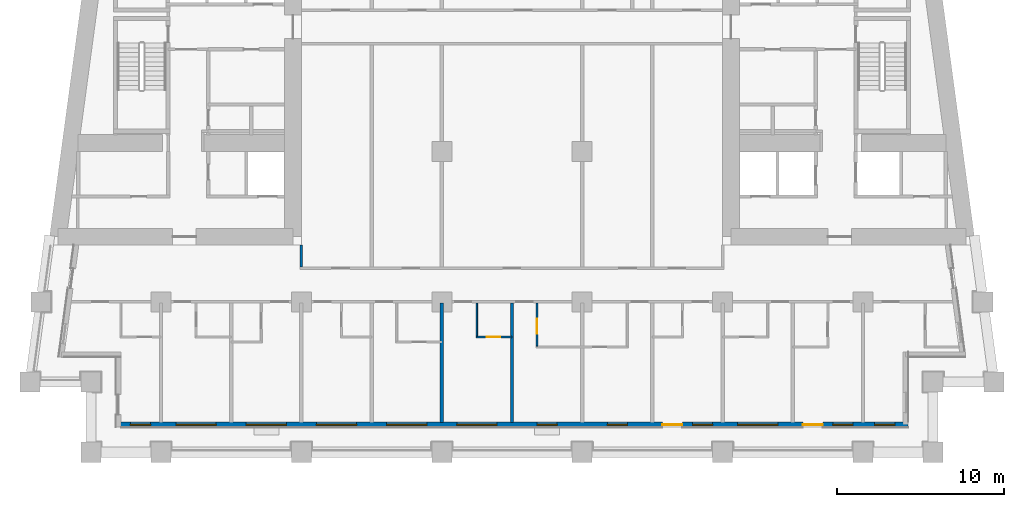
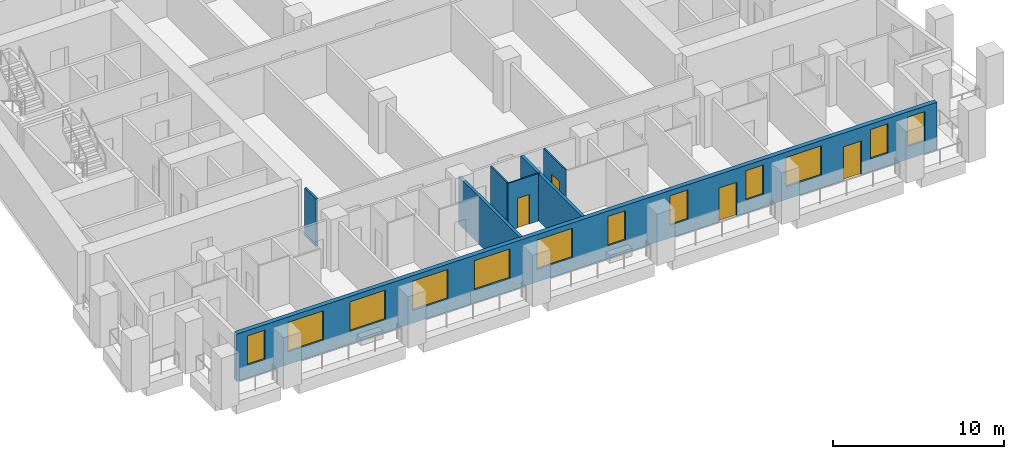
# One storey, part 3 of 14: 12 windows, 7 walls, 4 doors, 16 openings.
"""IFC4 building model written with IfcOpenShell, lengths in metres."""

from ifc_helpers import new_model, si_unit, direction, frame, frame_2d, origin, place, context, subcontext, project, spatial, rectangle, extrude, material, layer, layer_set, type_object, element, fill, save


model = new_model("IFC4")

# Units and contexts
model_context = context("Model", 3, precision=1e-05, world=origin(), true_north=direction((0.0, 1.0)))
body_context = subcontext(model_context, "Body", "Model", "MODEL_VIEW")
ifc_project = project(units=[si_unit("LENGTHUNIT", "METRE"), si_unit("AREAUNIT", "SQUARE_METRE"), si_unit("VOLUMEUNIT", "CUBIC_METRE"), si_unit("PLANEANGLEUNIT", "RADIAN"), si_unit("MASSUNIT", "GRAM", prefix="KILO")], contexts=[model_context])

# Site, building, storey
site_placement = place(None, origin())
site = spatial("IfcSite", under=ifc_project, at=site_placement, CompositionType="ELEMENT")
building_placement = place(site_placement, origin())
building = spatial("IfcBuilding", under=site, at=building_placement, Name="Candeia Pilgrim Tower and Theatre", CompositionType="ELEMENT")
storey_placement = place(building_placement, frame((0.0, 0.0, 124.300048828125)))
storey = spatial("IfcBuildingStorey", under=building, at=storey_placement, Name="L29", CompositionType="ELEMENT", Elevation=124.300048828125)

# Wall, openings, doors, windows
ifc_material_1 = material(Name="Ceramic block masonry", Category="masonry")
ifc_layer_1 = layer(ifc_material_1, 0.300048828125)
ifc_layer_set_1 = layer_set([ifc_layer_1], Name="EW1 glazing-line wall 300")
wall_type_1 = type_object("IfcWallType", Name="EW1 glazing-line wall 300", PredefinedType="SOLIDWALL", material=ifc_layer_set_1)
wall_1_placement = place(storey_placement, frame((89.85009765625, 99.64990234375, 0.0), z_axis=(0.0, 0.0, 1.0), x_axis=(1.0, 0.0, 0.0)))
wall_1 = element("IfcWall", 1, at=wall_1_placement, inside=storey, type_object=wall_type_1, Name="External wall L29-0.0", PredefinedType="SOLIDWALL", context=body_context, shape_type="SweptSolid", body=[
    extrude(rectangle(XDim=47.25, YDim=0.300048828125, at=frame_2d((23.625, 0.0))), origin(), (0.0, 0.0, 1.0), 3.3798828125),
])
opening_1_placement = place(wall_1_placement, frame((0.72509765625, 0.0, 0.89990234375)))
opening_1 = element("IfcOpeningElement", 2, at=opening_1_placement, cuts=wall_1, Name="Opening W-B", PredefinedType="OPENING", context=body_context, shape_type="SweptSolid", body=[
    extrude(rectangle(XDim=1.199951171875, YDim=2.10009765625, at=frame_2d((0.60009765625, 1.050048828125))), frame((0.0, 0.16015625, 0.0), z_axis=(0.0, -1.0, 0.0), x_axis=(1.0, 0.0, 0.0)), (0.0, 0.0, 1.0), 0.320068359375),
])
opening_2_placement = place(wall_1_placement, frame((3.449951171875, 0.0, 0.89990234375)))
opening_2 = element("IfcOpeningElement", 3, at=opening_2_placement, cuts=wall_1, Name="Opening W-A", PredefinedType="OPENING", context=body_context, shape_type="SweptSolid", body=[
    extrude(rectangle(XDim=2.39990234375, YDim=2.10009765625, at=frame_2d((1.199951171875, 1.050048828125))), frame((0.0, 0.16015625, 0.0), z_axis=(0.0, -1.0, 0.0), x_axis=(1.0, 0.0, 0.0)), (0.0, 0.0, 1.0), 0.320068359375),
])
opening_3_placement = place(wall_1_placement, frame((7.64990234375, 0.0, 0.89990234375)))
opening_3 = element("IfcOpeningElement", 4, at=opening_3_placement, cuts=wall_1, Name="Opening W-A", PredefinedType="OPENING", context=body_context, shape_type="SweptSolid", body=[
    extrude(rectangle(XDim=2.39990234375, YDim=2.10009765625, at=frame_2d((1.199951171875, 1.050048828125))), frame((0.0, 0.16015625, 0.0), z_axis=(0.0, -1.0, 0.0), x_axis=(1.0, 0.0, 0.0)), (0.0, 0.0, 1.0), 0.320068359375),
])
opening_4_placement = place(wall_1_placement, frame((11.85009765625, 0.0, 0.89990234375)))
opening_4 = element("IfcOpeningElement", 5, at=opening_4_placement, cuts=wall_1, Name="Opening W-A", PredefinedType="OPENING", context=body_context, shape_type="SweptSolid", body=[
    extrude(rectangle(XDim=2.39990234375, YDim=2.10009765625, at=frame_2d((1.199951171875, 1.050048828125))), frame((0.0, 0.16015625, 0.0), z_axis=(0.0, -1.0, 0.0), x_axis=(1.0, 0.0, 0.0)), (0.0, 0.0, 1.0), 0.320068359375),
])
opening_5_placement = place(wall_1_placement, frame((16.050048828125, 0.0, 0.89990234375)))
opening_5 = element("IfcOpeningElement", 6, at=opening_5_placement, cuts=wall_1, Name="Opening W-A", PredefinedType="OPENING", context=body_context, shape_type="SweptSolid", body=[
    extrude(rectangle(XDim=2.39990234375, YDim=2.10009765625, at=frame_2d((1.199951171875, 1.050048828125))), frame((0.0, 0.16015625, 0.0), z_axis=(0.0, -1.0, 0.0), x_axis=(1.0, 0.0, 0.0)), (0.0, 0.0, 1.0), 0.320068359375),
])
opening_6_placement = place(wall_1_placement, frame((20.25, 0.0, 0.89990234375)))
opening_6 = element("IfcOpeningElement", 7, at=opening_6_placement, cuts=wall_1, Name="Opening W-A", PredefinedType="OPENING", context=body_context, shape_type="SweptSolid", body=[
    extrude(rectangle(XDim=2.39990234375, YDim=2.10009765625, at=frame_2d((1.199951171875, 1.050048828125))), frame((0.0, 0.16015625, 0.0), z_axis=(0.0, -1.0, 0.0), x_axis=(1.0, 0.0, 0.0)), (0.0, 0.0, 1.0), 0.320068359375),
])
opening_7_placement = place(wall_1_placement, frame((25.050048828125, 0.0, 0.89990234375)))
opening_7 = element("IfcOpeningElement", 8, at=opening_7_placement, cuts=wall_1, Name="Opening W-B", PredefinedType="OPENING", context=body_context, shape_type="SweptSolid", body=[
    extrude(rectangle(XDim=1.199951171875, YDim=2.10009765625, at=frame_2d((0.60009765625, 1.050048828125))), frame((0.0, 0.16015625, 0.0), z_axis=(0.0, -1.0, 0.0), x_axis=(1.0, 0.0, 0.0)), (0.0, 0.0, 1.0), 0.320068359375),
])
opening_8_placement = place(wall_1_placement, frame((29.25, 0.0, 0.89990234375)))
opening_8 = element("IfcOpeningElement", 9, at=opening_8_placement, cuts=wall_1, Name="Opening W-B", PredefinedType="OPENING", context=body_context, shape_type="SweptSolid", body=[
    extrude(rectangle(XDim=1.199951171875, YDim=2.10009765625, at=frame_2d((0.60009765625, 1.050048828125))), frame((0.0, 0.16015625, 0.0), z_axis=(0.0, -1.0, 0.0), x_axis=(1.0, 0.0, 0.0)), (0.0, 0.0, 1.0), 0.320068359375),
])
opening_9_placement = place(wall_1_placement, frame((32.550048828125, 0.0, 0.0)))
opening_9 = element("IfcOpeningElement", 10, at=opening_9_placement, cuts=wall_1, Name="Opening L29-ED291", PredefinedType="OPENING", context=body_context, shape_type="SweptSolid", body=[
    extrude(rectangle(XDim=1.199951171875, YDim=2.39990234375, at=frame_2d((0.60009765625, 1.199951171875))), frame((0.0, 0.16015625, 0.0), z_axis=(0.0, -1.0, 0.0), x_axis=(1.0, 0.0, 0.0)), (0.0, 0.0, 1.0), 0.320068359375),
])
opening_10_placement = place(wall_1_placement, frame((34.35009765625, 0.0, 0.89990234375)))
opening_10 = element("IfcOpeningElement", 11, at=opening_10_placement, cuts=wall_1, Name="Opening W-B", PredefinedType="OPENING", context=body_context, shape_type="SweptSolid", body=[
    extrude(rectangle(XDim=1.199951171875, YDim=2.10009765625, at=frame_2d((0.60009765625, 1.050048828125))), frame((0.0, 0.16015625, 0.0), z_axis=(0.0, -1.0, 0.0), x_axis=(1.0, 0.0, 0.0)), (0.0, 0.0, 1.0), 0.320068359375),
])
opening_11_placement = place(wall_1_placement, frame((37.050048828125, 0.0, 0.89990234375)))
opening_11 = element("IfcOpeningElement", 12, at=opening_11_placement, cuts=wall_1, Name="Opening W-A", PredefinedType="OPENING", context=body_context, shape_type="SweptSolid", body=[
    extrude(rectangle(XDim=2.39990234375, YDim=2.10009765625, at=frame_2d((1.199951171875, 1.050048828125))), frame((0.0, 0.16015625, 0.0), z_axis=(0.0, -1.0, 0.0), x_axis=(1.0, 0.0, 0.0)), (0.0, 0.0, 1.0), 0.320068359375),
])
opening_12_placement = place(wall_1_placement, frame((40.949951171875, 0.0, 0.0)))
opening_12 = element("IfcOpeningElement", 13, at=opening_12_placement, cuts=wall_1, Name="Opening L29-ED292", PredefinedType="OPENING", context=body_context, shape_type="SweptSolid", body=[
    extrude(rectangle(XDim=1.199951171875, YDim=2.39990234375, at=frame_2d((0.60009765625, 1.199951171875))), frame((0.0, 0.16015625, 0.0), z_axis=(0.0, -1.0, 0.0), x_axis=(1.0, 0.0, 0.0)), (0.0, 0.0, 1.0), 0.320068359375),
])
opening_13_placement = place(wall_1_placement, frame((42.75, 0.0, 0.89990234375)))
opening_13 = element("IfcOpeningElement", 14, at=opening_13_placement, cuts=wall_1, Name="Opening W-B", PredefinedType="OPENING", context=body_context, shape_type="SweptSolid", body=[
    extrude(rectangle(XDim=1.199951171875, YDim=2.10009765625, at=frame_2d((0.60009765625, 1.050048828125))), frame((0.0, 0.16015625, 0.0), z_axis=(0.0, -1.0, 0.0), x_axis=(1.0, 0.0, 0.0)), (0.0, 0.0, 1.0), 0.320068359375),
])
opening_14_placement = place(wall_1_placement, frame((45.25, 0.0, 0.89990234375)))
opening_14 = element("IfcOpeningElement", 15, at=opening_14_placement, cuts=wall_1, Name="Opening W-B", PredefinedType="OPENING", context=body_context, shape_type="SweptSolid", body=[
    extrude(rectangle(XDim=1.199951171875, YDim=2.10009765625, at=frame_2d((0.60009765625, 1.050048828125))), frame((0.0, 0.16015625, 0.0), z_axis=(0.0, -1.0, 0.0), x_axis=(1.0, 0.0, 0.0)), (0.0, 0.0, 1.0), 0.320068359375),
])
ifc_material_2 = material(Name="Aluminium framed glazed door", Category="aluminium")
door_type_1 = type_object("IfcDoorType", Name="Loggia door 1200x2400", OperationType="DOUBLE_DOOR_SINGLE_SWING", PredefinedType="DOOR", material=ifc_material_2)
door_1_placement = place(opening_9_placement, origin())
door_1 = element("IfcDoor", 16, at=door_1_placement, inside=storey, type_object=door_type_1, Name="Loggia door L29-ED291", OperationType="DOUBLE_DOOR_SINGLE_SWING", OverallHeight=2.39990234375, OverallWidth=1.199951171875, PredefinedType="DOOR", context=body_context, shape_type="SweptSolid", body=[
    extrude(rectangle(XDim=1.199951171875, YDim=2.39990234375, at=frame_2d((0.60009765625, 1.199951171875))), frame((0.0, 0.02490234375, 0.0), z_axis=(0.0, -1.0, 0.0), x_axis=(1.0, 0.0, 0.0)), (0.0, 0.0, 1.0), 0.050048828125),
])
fill(opening_9, door_1)
door_2_placement = place(opening_12_placement, origin())
door_2 = element("IfcDoor", 17, at=door_2_placement, inside=storey, type_object=door_type_1, Name="Loggia door L29-ED292", OperationType="DOUBLE_DOOR_SINGLE_SWING", OverallHeight=2.39990234375, OverallWidth=1.199951171875, PredefinedType="DOOR", context=body_context, shape_type="SweptSolid", body=[
    extrude(rectangle(XDim=1.199951171875, YDim=2.39990234375, at=frame_2d((0.60009765625, 1.199951171875))), frame((0.0, 0.02490234375, 0.0), z_axis=(0.0, -1.0, 0.0), x_axis=(1.0, 0.0, 0.0)), (0.0, 0.0, 1.0), 0.050048828125),
])
fill(opening_12, door_2)
ifc_material_3 = material(Name="Aluminium framed double glazing", Category="aluminium")
window_type_1 = type_object("IfcWindowType", Name="W-A window 2400x2100", PartitioningType="DOUBLE_PANEL_VERTICAL", PredefinedType="WINDOW", material=ifc_material_3)
window_1_placement = place(opening_2_placement, origin())
window_1 = element("IfcWindow", 18, at=window_1_placement, inside=storey, type_object=window_type_1, Name="Window W-A L29", OverallHeight=2.10009765625, OverallWidth=2.39990234375, PartitioningType="SINGLE_PANEL", PredefinedType="WINDOW", context=body_context, shape_type="SweptSolid", body=[
    extrude(rectangle(XDim=2.39990234375, YDim=2.10009765625, at=frame_2d((1.199951171875, 1.050048828125))), frame((0.0, 0.030029296875, 0.0), z_axis=(0.0, -1.0, 0.0), x_axis=(1.0, 0.0, 0.0)), (0.0, 0.0, 1.0), 0.06005859375),
])
fill(opening_2, window_1)
window_2_placement = place(opening_3_placement, origin())
window_2 = element("IfcWindow", 19, at=window_2_placement, inside=storey, type_object=window_type_1, Name="Window W-A L29", OverallHeight=2.10009765625, OverallWidth=2.39990234375, PartitioningType="SINGLE_PANEL", PredefinedType="WINDOW", context=body_context, shape_type="SweptSolid", body=[
    extrude(rectangle(XDim=2.39990234375, YDim=2.10009765625, at=frame_2d((1.199951171875, 1.050048828125))), frame((0.0, 0.030029296875, 0.0), z_axis=(0.0, -1.0, 0.0), x_axis=(1.0, 0.0, 0.0)), (0.0, 0.0, 1.0), 0.06005859375),
])
fill(opening_3, window_2)
window_3_placement = place(opening_4_placement, origin())
window_3 = element("IfcWindow", 20, at=window_3_placement, inside=storey, type_object=window_type_1, Name="Window W-A L29", OverallHeight=2.10009765625, OverallWidth=2.39990234375, PartitioningType="SINGLE_PANEL", PredefinedType="WINDOW", context=body_context, shape_type="SweptSolid", body=[
    extrude(rectangle(XDim=2.39990234375, YDim=2.10009765625, at=frame_2d((1.199951171875, 1.050048828125))), frame((0.0, 0.030029296875, 0.0), z_axis=(0.0, -1.0, 0.0), x_axis=(1.0, 0.0, 0.0)), (0.0, 0.0, 1.0), 0.06005859375),
])
fill(opening_4, window_3)
window_4_placement = place(opening_5_placement, origin())
window_4 = element("IfcWindow", 21, at=window_4_placement, inside=storey, type_object=window_type_1, Name="Window W-A L29", OverallHeight=2.10009765625, OverallWidth=2.39990234375, PartitioningType="SINGLE_PANEL", PredefinedType="WINDOW", context=body_context, shape_type="SweptSolid", body=[
    extrude(rectangle(XDim=2.39990234375, YDim=2.10009765625, at=frame_2d((1.199951171875, 1.050048828125))), frame((0.0, 0.030029296875, 0.0), z_axis=(0.0, -1.0, 0.0), x_axis=(1.0, 0.0, 0.0)), (0.0, 0.0, 1.0), 0.06005859375),
])
fill(opening_5, window_4)
window_5_placement = place(opening_6_placement, origin())
window_5 = element("IfcWindow", 22, at=window_5_placement, inside=storey, type_object=window_type_1, Name="Window W-A L29", OverallHeight=2.10009765625, OverallWidth=2.39990234375, PartitioningType="SINGLE_PANEL", PredefinedType="WINDOW", context=body_context, shape_type="SweptSolid", body=[
    extrude(rectangle(XDim=2.39990234375, YDim=2.10009765625, at=frame_2d((1.199951171875, 1.050048828125))), frame((0.0, 0.030029296875, 0.0), z_axis=(0.0, -1.0, 0.0), x_axis=(1.0, 0.0, 0.0)), (0.0, 0.0, 1.0), 0.06005859375),
])
fill(opening_6, window_5)
window_6_placement = place(opening_11_placement, origin())
window_6 = element("IfcWindow", 23, at=window_6_placement, inside=storey, type_object=window_type_1, Name="Window W-A L29", OverallHeight=2.10009765625, OverallWidth=2.39990234375, PartitioningType="SINGLE_PANEL", PredefinedType="WINDOW", context=body_context, shape_type="SweptSolid", body=[
    extrude(rectangle(XDim=2.39990234375, YDim=2.10009765625, at=frame_2d((1.199951171875, 1.050048828125))), frame((0.0, 0.030029296875, 0.0), z_axis=(0.0, -1.0, 0.0), x_axis=(1.0, 0.0, 0.0)), (0.0, 0.0, 1.0), 0.06005859375),
])
fill(opening_11, window_6)
window_type_2 = type_object("IfcWindowType", Name="W-B window 1200x2100", PartitioningType="SINGLE_PANEL", PredefinedType="WINDOW", material=ifc_material_3)
window_7_placement = place(opening_1_placement, origin())
window_7 = element("IfcWindow", 24, at=window_7_placement, inside=storey, type_object=window_type_2, Name="Window W-B L29", OverallHeight=2.10009765625, OverallWidth=1.199951171875, PartitioningType="SINGLE_PANEL", PredefinedType="WINDOW", context=body_context, shape_type="SweptSolid", body=[
    extrude(rectangle(XDim=1.199951171875, YDim=2.10009765625, at=frame_2d((0.60009765625, 1.050048828125))), frame((0.0, 0.030029296875, 0.0), z_axis=(0.0, -1.0, 0.0), x_axis=(1.0, 0.0, 0.0)), (0.0, 0.0, 1.0), 0.06005859375),
])
fill(opening_1, window_7)
window_8_placement = place(opening_7_placement, origin())
window_8 = element("IfcWindow", 25, at=window_8_placement, inside=storey, type_object=window_type_2, Name="Window W-B L29", OverallHeight=2.10009765625, OverallWidth=1.199951171875, PartitioningType="SINGLE_PANEL", PredefinedType="WINDOW", context=body_context, shape_type="SweptSolid", body=[
    extrude(rectangle(XDim=1.199951171875, YDim=2.10009765625, at=frame_2d((0.60009765625, 1.050048828125))), frame((0.0, 0.030029296875, 0.0), z_axis=(0.0, -1.0, 0.0), x_axis=(1.0, 0.0, 0.0)), (0.0, 0.0, 1.0), 0.06005859375),
])
fill(opening_7, window_8)
window_9_placement = place(opening_8_placement, origin())
window_9 = element("IfcWindow", 26, at=window_9_placement, inside=storey, type_object=window_type_2, Name="Window W-B L29", OverallHeight=2.10009765625, OverallWidth=1.199951171875, PartitioningType="SINGLE_PANEL", PredefinedType="WINDOW", context=body_context, shape_type="SweptSolid", body=[
    extrude(rectangle(XDim=1.199951171875, YDim=2.10009765625, at=frame_2d((0.60009765625, 1.050048828125))), frame((0.0, 0.030029296875, 0.0), z_axis=(0.0, -1.0, 0.0), x_axis=(1.0, 0.0, 0.0)), (0.0, 0.0, 1.0), 0.06005859375),
])
fill(opening_8, window_9)
window_10_placement = place(opening_10_placement, origin())
window_10 = element("IfcWindow", 27, at=window_10_placement, inside=storey, type_object=window_type_2, Name="Window W-B L29", OverallHeight=2.10009765625, OverallWidth=1.199951171875, PartitioningType="SINGLE_PANEL", PredefinedType="WINDOW", context=body_context, shape_type="SweptSolid", body=[
    extrude(rectangle(XDim=1.199951171875, YDim=2.10009765625, at=frame_2d((0.60009765625, 1.050048828125))), frame((0.0, 0.030029296875, 0.0), z_axis=(0.0, -1.0, 0.0), x_axis=(1.0, 0.0, 0.0)), (0.0, 0.0, 1.0), 0.06005859375),
])
fill(opening_10, window_10)
window_11_placement = place(opening_13_placement, origin())
window_11 = element("IfcWindow", 28, at=window_11_placement, inside=storey, type_object=window_type_2, Name="Window W-B L29", OverallHeight=2.10009765625, OverallWidth=1.199951171875, PartitioningType="SINGLE_PANEL", PredefinedType="WINDOW", context=body_context, shape_type="SweptSolid", body=[
    extrude(rectangle(XDim=1.199951171875, YDim=2.10009765625, at=frame_2d((0.60009765625, 1.050048828125))), frame((0.0, 0.030029296875, 0.0), z_axis=(0.0, -1.0, 0.0), x_axis=(1.0, 0.0, 0.0)), (0.0, 0.0, 1.0), 0.06005859375),
])
fill(opening_13, window_11)
window_12_placement = place(opening_14_placement, origin())
window_12 = element("IfcWindow", 29, at=window_12_placement, inside=storey, type_object=window_type_2, Name="Window W-B L29", OverallHeight=2.10009765625, OverallWidth=1.199951171875, PartitioningType="SINGLE_PANEL", PredefinedType="WINDOW", context=body_context, shape_type="SweptSolid", body=[
    extrude(rectangle(XDim=1.199951171875, YDim=2.10009765625, at=frame_2d((0.60009765625, 1.050048828125))), frame((0.0, 0.030029296875, 0.0), z_axis=(0.0, -1.0, 0.0), x_axis=(1.0, 0.0, 0.0)), (0.0, 0.0, 1.0), 0.06005859375),
])
fill(opening_14, window_12)

# Wall, opening, door
ifc_material_4 = material(Name="Gypsum board partition on steel studs", Category="steel")
ifc_layer_2 = layer(ifc_material_4, 0.10009765625)
ifc_layer_set_2 = layer_set([ifc_layer_2], Name="PW-100 room partition")
wall_type_2 = type_object("IfcWallType", Name="PW-100 room partition", PredefinedType="PARTITIONING", material=ifc_layer_set_2)
wall_2_placement = place(storey_placement, frame((111.25, 104.89990234375, 0.0), z_axis=(0.0, 0.0, 1.0), x_axis=(1.0, 0.0, 0.0)))
wall_2 = element("IfcWall", 30, at=wall_2_placement, inside=storey, type_object=wall_type_2, Name="Room partition L29-009", PredefinedType="PARTITIONING", context=body_context, shape_type="SweptSolid", body=[
    extrude(rectangle(XDim=2.14990234375, YDim=0.10009765625, at=frame_2d((1.074951171875, 0.0))), origin(), (0.0, 0.0, 1.0), 3.3798828125),
])
opening_15_placement = place(wall_2_placement, frame((0.639892578125, 0.0, 0.0)))
opening_15 = element("IfcOpeningElement", 31, at=opening_15_placement, cuts=wall_2, Name="Opening L29-D025", PredefinedType="OPENING", context=body_context, shape_type="SweptSolid", body=[
    extrude(rectangle(XDim=0.800048828125, YDim=2.10009765625, at=frame_2d((0.39990234375, 1.050048828125))), frame((0.0, 0.06005859375, 0.0), z_axis=(0.0, -1.0, 0.0), x_axis=(1.0, 0.0, 0.0)), (0.0, 0.0, 1.0), 0.1201171875),
])
ifc_material_5 = material(Name="Timber door leaf", Category="wood")
door_type_2 = type_object("IfcDoorType", Name="D-800", OperationType="NOTDEFINED", PredefinedType="DOOR", material=ifc_material_5)
door_3_placement = place(opening_15_placement, origin())
door_3 = element("IfcDoor", 32, at=door_3_placement, inside=storey, type_object=door_type_2, Name="Door L29-D025", OperationType="SINGLE_SWING_RIGHT", OverallHeight=2.10009765625, OverallWidth=0.800048828125, PredefinedType="DOOR", context=body_context, shape_type="SweptSolid", body=[
    extrude(rectangle(XDim=0.800048828125, YDim=2.10009765625, at=frame_2d((0.39990234375, 1.050048828125))), frame((0.0, 0.02490234375, 0.0), z_axis=(0.0, -1.0, 0.0), x_axis=(1.0, 0.0, 0.0)), (0.0, 0.0, 1.0), 0.050048828125),
])
fill(opening_15, door_3)

# Wall
wall_3_placement = place(storey_placement, frame((111.300048828125, 104.949951171875, 0.0), z_axis=(0.0, 0.0, 1.0), x_axis=(0.0, 1.0, 0.0)))
element("IfcWall", 33, at=wall_3_placement, inside=storey, type_object=wall_type_2, Name="Room partition L29-093", PredefinedType="PARTITIONING", context=body_context, shape_type="SweptSolid", body=[
    extrude(rectangle(XDim=1.97509765625, YDim=0.10009765625, at=frame_2d((0.987548828125, 0.0))), origin(), (0.0, 0.0, 1.0), 3.3798828125),
])

# Wall, opening, door
wall_4_placement = place(storey_placement, frame((114.89990234375, 104.35009765625, 0.0), z_axis=(0.0, 0.0, 1.0), x_axis=(0.0, 1.0, 0.0)))
wall_4 = element("IfcWall", 34, at=wall_4_placement, inside=storey, type_object=wall_type_2, Name="Room partition L29-096", PredefinedType="PARTITIONING", context=body_context, shape_type="SweptSolid", body=[
    extrude(rectangle(XDim=2.574951171875, YDim=0.10009765625, at=frame_2d((1.28759765625, 0.0))), origin(), (0.0, 0.0, 1.0), 3.3798828125),
])
opening_16_placement = place(wall_4_placement, frame((0.739990234375, 0.0, 0.0)))
opening_16 = element("IfcOpeningElement", 35, at=opening_16_placement, cuts=wall_4, Name="Opening L29-D027", PredefinedType="OPENING", context=body_context, shape_type="SweptSolid", body=[
    extrude(rectangle(XDim=0.89990234375, YDim=2.10009765625, at=frame_2d((0.449951171875, 1.050048828125))), frame((0.0, 0.06005859375, 0.0), z_axis=(0.0, -1.0, 0.0), x_axis=(1.0, 0.0, 0.0)), (0.0, 0.0, 1.0), 0.1201171875),
])
door_type_3 = type_object("IfcDoorType", Name="D-900", OperationType="NOTDEFINED", PredefinedType="DOOR", material=ifc_material_5)
door_4_placement = place(opening_16_placement, origin())
door_4 = element("IfcDoor", 36, at=door_4_placement, inside=storey, type_object=door_type_3, Name="Door L29-D027", OperationType="SINGLE_SWING_RIGHT", OverallHeight=2.10009765625, OverallWidth=0.89990234375, PredefinedType="DOOR", context=body_context, shape_type="SweptSolid", body=[
    extrude(rectangle(XDim=0.89990234375, YDim=2.10009765625, at=frame_2d((0.449951171875, 1.050048828125))), frame((0.0, 0.02490234375, 0.0), z_axis=(0.0, -1.0, 0.0), x_axis=(1.0, 0.0, 0.0)), (0.0, 0.0, 1.0), 0.050048828125),
])
fill(opening_16, door_4)

# Walls
ifc_layer_3 = layer(ifc_material_4, 0.14990234375)
ifc_layer_set_3 = layer_set([ifc_layer_3], Name="PW-150 unit wall")
wall_type_3 = type_object("IfcWallType", Name="PW-150 unit wall", PredefinedType="PARTITIONING", material=ifc_layer_set_3)
wall_5_placement = place(storey_placement, frame((100.800048828125, 109.074951171875, 0.0), z_axis=(0.0, 0.0, 1.0), x_axis=(0.0, 1.0, 0.0)))
element("IfcWall", 37, at=wall_5_placement, inside=storey, type_object=wall_type_3, Name="Unit wall L29-079", PredefinedType="PARTITIONING", context=body_context, shape_type="SweptSolid", body=[
    extrude(rectangle(XDim=1.324951171875, YDim=0.14990234375, at=frame_2d((0.66259765625, 0.0))), origin(), (0.0, 0.0, 1.0), 3.3798828125),
])
ifc_layer_4 = layer(ifc_material_4, 0.199951171875)
ifc_layer_set_4 = layer_set([ifc_layer_4], Name="PW-200 party wall")
wall_type_4 = type_object("IfcWallType", Name="PW-200 party wall", PredefinedType="PARTITIONING", material=ifc_layer_set_4)
for number, where, z_axis, x_axis, name in (
    (38, (109.199951171875, 99.7900390625, 0.0), (0.0, 0.0, 1.0), (0.0, 1.0, 0.0), "Party wall L29-088"),
    (39, (113.39990234375, 99.7900390625, 0.0), (0.0, 0.0, 1.0), (0.0, 1.0, 0.0), "Party wall L29-094"),
):
    element("IfcWall", number, at=place(storey_placement, frame(where, z_axis=z_axis, x_axis=x_axis)), inside=storey, type_object=wall_type_4, Name=name, PredefinedType="PARTITIONING", context=body_context, shape_type="SweptSolid", body=[
        extrude(rectangle(XDim=7.135009765625, YDim=0.199951171875, at=frame_2d((3.5673828125, 0.0))), origin(), (0.0, 0.0, 1.0), 3.3798828125),
    ])

save(model, "model.ifc")
